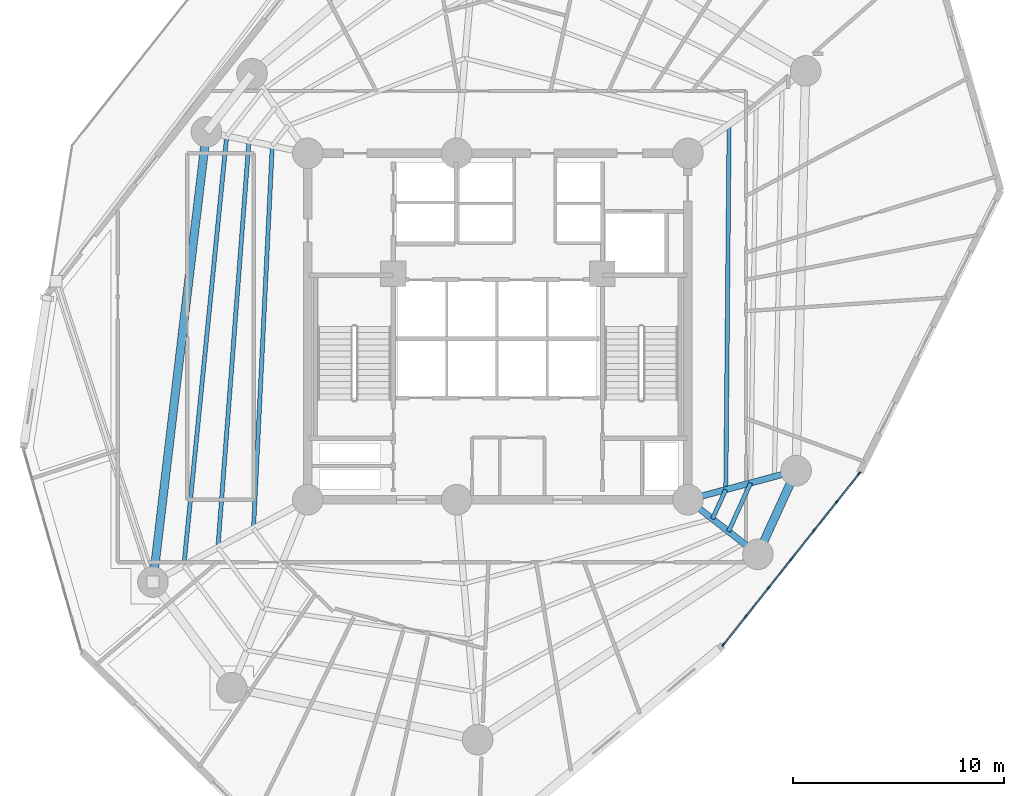
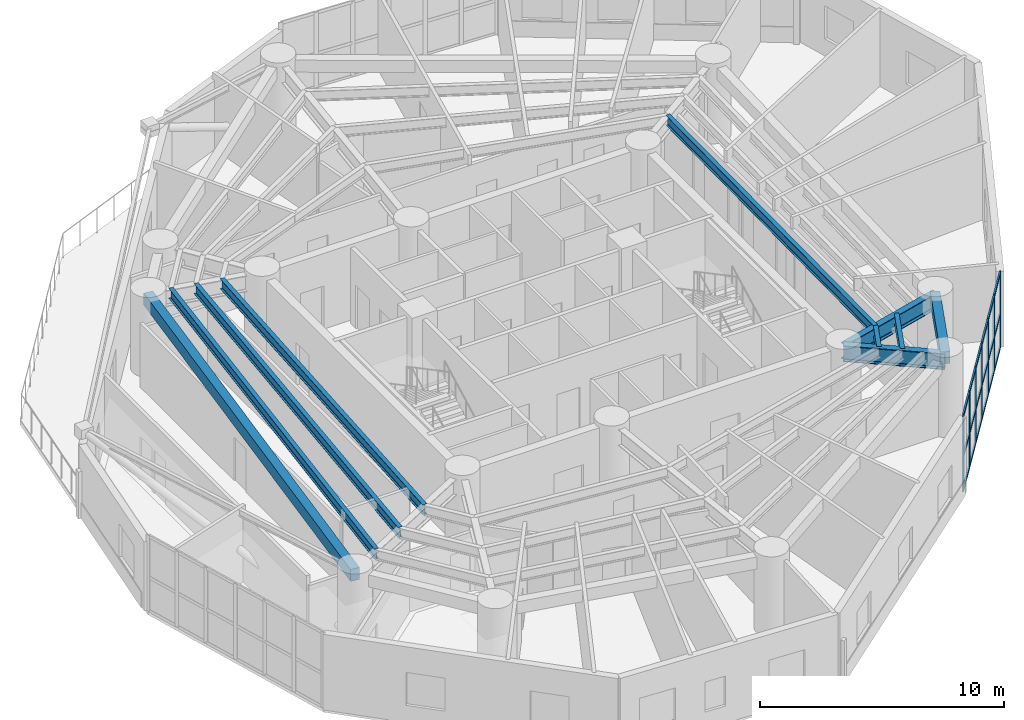
# One storey, part 3 of 14: 25 members, 10 beams, 1 element without a shape of its own.
"""IFC4 building model written with IfcOpenShell, lengths in metres."""

from ifc_helpers import new_model, si_unit, direction, frame, origin, origin_with_axes, origin_2d, place, context, subcontext, project, spatial, rectangle, i_section, extrude, source, transform, mapped, material, layer, layer_set, material_profile, profile_set, type_object, element, aggregate, save


model = new_model("IFC4")

# Units and contexts
model_context = context("Model", 3, precision=1e-05, world=origin(), true_north=direction((0.0, 1.0)))
body_context = subcontext(model_context, "Body", "Model", "MODEL_VIEW")
ifc_project = project(units=[si_unit("LENGTHUNIT", "METRE"), si_unit("AREAUNIT", "SQUARE_METRE"), si_unit("VOLUMEUNIT", "CUBIC_METRE"), si_unit("PLANEANGLEUNIT", "RADIAN"), si_unit("MASSUNIT", "GRAM", prefix="KILO")], contexts=[model_context])

# Site, building, storey
site_placement = place(None, origin())
site = spatial("IfcSite", under=ifc_project, at=site_placement, CompositionType="ELEMENT")
building_placement = place(site_placement, origin())
building = spatial("IfcBuilding", under=site, at=building_placement, Name="Karkom Vertical University and Central Library", CompositionType="ELEMENT")
storey_placement = place(building_placement, frame((0.0, 0.0, 92.199951171875)))
storey = spatial("IfcBuildingStorey", under=building, at=storey_placement, Name="L24", CompositionType="ELEMENT", Elevation=92.199951171875)

# Beams
ifc_material_1 = material(Name="Steel S355", Category="steel")
ifc_material_profile_1 = material_profile(ifc_material_1, i_section(OverallWidth=0.300048828125, OverallDepth=0.800048828125, WebThickness=0.017578125, FlangeThickness=0.032958984375, FilletRadius=0.030029296875, at=origin_2d()), Name="HE 800 B")
ifc_profile_set_1 = profile_set([ifc_material_profile_1], Name="Steel S355")
beam_type_1 = type_object("IfcBeamType", Name="STR-BM-SB-HE800", PredefinedType="USERDEFINED", material=ifc_profile_set_1)
shared_shape_1 = source(origin_with_axes(), body_context, "Body", "SweptSolid", [
    extrude(i_section(OverallWidth=0.300048828125, OverallDepth=0.800048828125, WebThickness=0.017578125, FlangeThickness=0.032958984375, FilletRadius=0.030029296875, at=origin_2d()), origin(), (0.0, 0.0, 1.0), 5.299560546875),
])
beam_1_placement = place(storey_placement, frame((37.5, 18.300048828125, 3.375), z_axis=(0.965903833688, 0.258901108663, 0.0), x_axis=(-0.258901108663, 0.965903833688, 0.0)))
element("IfcBeam", 1, at=beam_1_placement, inside=storey, type_object=beam_type_1, Name="Level 24 Radial Frame Girder 01", ObjectType="GIRDER", PredefinedType="USERDEFINED", context=body_context, shape_type="MappedRepresentation", body=[
    mapped(shared_shape_1, transform((0.0, 0.0, 0.0), scale=1.0)),
])
shared_shape_2 = source(origin_with_axes(), body_context, "Body", "SweptSolid", [
    extrude(i_section(OverallWidth=0.300048828125, OverallDepth=0.800048828125, WebThickness=0.017578125, FlangeThickness=0.032958984375, FilletRadius=0.030029296875, at=origin_2d()), origin(), (0.0, 0.0, 1.0), 4.200439453125),
])
beam_2_placement = place(storey_placement, frame((37.5, 18.300048828125, 3.375), z_axis=(0.788029660796, -0.615637274461, 0.0), x_axis=(0.615637274461, 0.788029660796, 0.0)))
element("IfcBeam", 2, at=beam_2_placement, inside=storey, type_object=beam_type_1, Name="Level 24 Radial Frame Girder 09", ObjectType="GIRDER", PredefinedType="USERDEFINED", context=body_context, shape_type="MappedRepresentation", body=[
    mapped(shared_shape_2, transform((0.0, 0.0, 0.0), scale=1.0)),
])
ifc_material_2 = material(Name="Precast concrete C45/55", Category="concrete")
ifc_material_profile_2 = material_profile(ifc_material_2, rectangle(XDim=0.39990234375, YDim=0.60009765625, at=origin_2d()), Name="SPB-400x600")
ifc_profile_set_2 = profile_set([ifc_material_profile_2], Name="Precast concrete C45/55")
beam_type_2 = type_object("IfcBeamType", Name="STR-BM-SP-1", PredefinedType="SPANDREL", material=ifc_profile_set_2)
shared_shape_3 = source(origin_with_axes(), body_context, "Body", "SweptSolid", [
    extrude(rectangle(XDim=0.39990234375, YDim=0.60009765625, at=origin_2d()), origin(), (0.0, 0.0, 1.0), 21.466064453125),
])
beam_3_placement = place(storey_placement, frame((14.70703125, 35.718994140625, 3.47509765625), z_axis=(-0.118088996795, -0.993003015522, 0.0), x_axis=(0.993003015522, -0.118088996795, 0.0)))
element("IfcBeam", 3, at=beam_3_placement, inside=storey, type_object=beam_type_2, Name="Level 24 Perimeter Spandrel Beam 05", PredefinedType="SPANDREL", context=body_context, shape_type="MappedRepresentation", body=[
    mapped(shared_shape_3, transform((0.0, 0.0, 0.0), scale=1.0)),
])
shared_shape_4 = source(origin_with_axes(), body_context, "Body", "SweptSolid", [
    extrude(rectangle(XDim=0.39990234375, YDim=0.60009765625, at=origin_2d()), origin(), (0.0, 0.0, 1.0), 4.351806640625),
])
beam_4_placement = place(storey_placement, frame((40.81005859375, 15.714111328125, 3.47509765625), z_axis=(0.415657668422, 0.909521139217, 0.0), x_axis=(-0.909521139217, 0.415657668422, 0.0)))
element("IfcBeam", 4, at=beam_4_placement, inside=storey, type_object=beam_type_2, Name="Level 24 Perimeter Spandrel Beam 09", PredefinedType="SPANDREL", context=body_context, shape_type="MappedRepresentation", body=[
    mapped(shared_shape_4, transform((0.0, 0.0, 0.0), scale=1.0)),
])
ifc_material_profile_3 = material_profile(ifc_material_1, i_section(OverallWidth=0.199951171875, OverallDepth=0.5, WebThickness=0.01025390625, FlangeThickness=0.01611328125, FilletRadius=0.02099609375, at=origin_2d()), Name="IPE 500")
ifc_profile_set_3 = profile_set([ifc_material_profile_3], Name="Steel S355")
beam_type_3 = type_object("IfcBeamType", Name="STR-BM-SB-IPE500", PredefinedType="BEAM", material=ifc_profile_set_3)
shared_shape_5 = source(origin_with_axes(), body_context, "Body", "SweptSolid", [
    extrude(i_section(OverallWidth=0.199951171875, OverallDepth=0.5, WebThickness=0.01025390625, FlangeThickness=0.01611328125, FilletRadius=0.02099609375, at=origin_2d()), origin(), (0.0, 0.0, 1.0), 17.285400390625),
])
beam_5_placement = place(storey_placement, frame((39.29150390625, 18.7802734375, 3.525146484375), z_axis=(0.009138294648, 0.999958244914, 0.0), x_axis=(-0.999958244914, 0.009138294648, 0.0)))
element("IfcBeam", 5, at=beam_5_placement, inside=storey, type_object=beam_type_3, Name="Level 24 Secondary Composite Floor Beam 1.01", PredefinedType="BEAM", context=body_context, shape_type="MappedRepresentation", body=[
    mapped(shared_shape_5, transform((0.0, 0.0, 0.0), scale=1.0)),
])
shared_shape_6 = source(origin_with_axes(), body_context, "Body", "SweptSolid", [
    extrude(i_section(OverallWidth=0.199951171875, OverallDepth=0.5, WebThickness=0.01025390625, FlangeThickness=0.01611328125, FilletRadius=0.02099609375, at=origin_2d()), origin(), (0.0, 0.0, 1.0), 18.142333984375),
])
beam_6_placement = place(storey_placement, frame((17.822509765625, 35.056640625, 3.525146484375), z_axis=(-0.048902644774, -0.998803549921, 0.0), x_axis=(0.998803549921, -0.048902644774, 0.0)))
element("IfcBeam", 6, at=beam_6_placement, inside=storey, type_object=beam_type_3, Name="Level 24 Secondary Composite Floor Beam 1.05", PredefinedType="BEAM", context=body_context, shape_type="MappedRepresentation", body=[
    mapped(shared_shape_6, transform((0.0, 0.0, 0.0), scale=1.0)),
])
shared_shape_7 = source(origin_with_axes(), body_context, "Body", "SweptSolid", [
    extrude(i_section(OverallWidth=0.199951171875, OverallDepth=0.5, WebThickness=0.01025390625, FlangeThickness=0.01611328125, FilletRadius=0.02099609375, at=origin_2d()), origin(), (0.0, 0.0, 1.0), 1.52294921875),
])
beam_7_placement = place(storey_placement, frame((38.658447265625, 17.39501953125, 3.525146484375), z_axis=(0.415649898107, 0.909524690266, 0.0), x_axis=(-0.909524690266, 0.415649898107, 0.0)))
element("IfcBeam", 7, at=beam_7_placement, inside=storey, type_object=beam_type_3, Name="Level 24 Secondary Composite Floor Beam 1.09", PredefinedType="BEAM", context=body_context, shape_type="MappedRepresentation", body=[
    mapped(shared_shape_7, transform((0.0, 0.0, 0.0), scale=1.0)),
])
shared_shape_8 = source(origin_with_axes(), body_context, "Body", "SweptSolid", [
    extrude(i_section(OverallWidth=0.199951171875, OverallDepth=0.5, WebThickness=0.01025390625, FlangeThickness=0.01611328125, FilletRadius=0.02099609375, at=origin_2d()), origin(), (0.0, 0.0, 1.0), 19.307373046875),
])
beam_8_placement = place(storey_placement, frame((16.72021484375, 35.291015625, 3.525146484375), z_axis=(-0.07616078645, -0.997095549387, 0.0), x_axis=(0.997095549387, -0.07616078645, 0.0)))
element("IfcBeam", 8, at=beam_8_placement, inside=storey, type_object=beam_type_3, Name="Level 24 Secondary Composite Floor Beam 2.05", PredefinedType="BEAM", context=body_context, shape_type="MappedRepresentation", body=[
    mapped(shared_shape_8, transform((0.0, 0.0, 0.0), scale=1.0)),
])
shared_shape_9 = source(origin_with_axes(), body_context, "Body", "SweptSolid", [
    extrude(i_section(OverallWidth=0.199951171875, OverallDepth=0.5, WebThickness=0.01025390625, FlangeThickness=0.01611328125, FilletRadius=0.02099609375, at=origin_2d()), origin(), (0.0, 0.0, 1.0), 2.52392578125),
])
beam_9_placement = place(storey_placement, frame((39.419921875, 16.800048828125, 3.525146484375), z_axis=(0.415638602127, 0.909529852408, 0.0), x_axis=(-0.909529852408, 0.415638602127, 0.0)))
element("IfcBeam", 9, at=beam_9_placement, inside=storey, type_object=beam_type_3, Name="Level 24 Secondary Composite Floor Beam 2.09", PredefinedType="BEAM", context=body_context, shape_type="MappedRepresentation", body=[
    mapped(shared_shape_9, transform((0.0, 0.0, 0.0), scale=1.0)),
])
shared_shape_10 = source(origin_with_axes(), body_context, "Body", "SweptSolid", [
    extrude(i_section(OverallWidth=0.199951171875, OverallDepth=0.5, WebThickness=0.01025390625, FlangeThickness=0.01611328125, FilletRadius=0.02099609375, at=origin_2d()), origin(), (0.0, 0.0, 1.0), 20.43359375),
])
beam_10_placement = place(storey_placement, frame((15.66552734375, 35.51513671875, 3.525146484375), z_axis=(-0.099239913611, -0.995063535432, 0.0), x_axis=(0.995063535432, -0.099239913611, 0.0)))
element("IfcBeam", 10, at=beam_10_placement, inside=storey, type_object=beam_type_3, Name="Level 24 Secondary Composite Floor Beam 3.05", PredefinedType="BEAM", context=body_context, shape_type="MappedRepresentation", body=[
    mapped(shared_shape_10, transform((0.0, 0.0, 0.0), scale=1.0)),
])

# Curtain wall, members
ifc_material_3 = material(Name="Aluminium curtain-wall framing and low-E IGU", Category="aluminium")
ifc_layer = layer(ifc_material_3, 0.199951171875)
ifc_layer_set = layer_set([ifc_layer], Name="Aluminium curtain-wall framing and low-E IGU")
curtain_wall_type = type_object("IfcCurtainWallType", Name="ENV-CW-5", PredefinedType="USERDEFINED", material=ifc_layer_set)
curtain_wall_placement = place(storey_placement, origin())
curtain_wall = element("IfcCurtainWall", 11, at=curtain_wall_placement, inside=storey, type_object=curtain_wall_type, Name="Level 24 CW-5 Curtain Wall L24-CW5-06", ObjectType="UNITISED GLAZING", PredefinedType="USERDEFINED")
ifc_material_4 = material(Name="Anodised Aluminium 6063-T6", Category="aluminium")
ifc_material_profile_4 = material_profile(ifc_material_4, rectangle(XDim=0.070068359375, YDim=0.199951171875, at=origin_2d()), Name="ALU-M70x200")
ifc_profile_set_4 = profile_set([ifc_material_profile_4], Name="Anodised Aluminium 6063-T6")
member_type_1 = type_object("IfcMemberType", Name="ENV-MEM-ALU-M70x200", PredefinedType="MULLION", material=ifc_profile_set_4)
shared_shape_11 = source(origin_with_axes(), body_context, "Body", "SweptSolid", [
    extrude(rectangle(XDim=0.070068359375, YDim=0.199951171875, at=origin_2d()), origin(), (0.0, 0.0, 1.0), 3.775146484375),
])
member_1_placement = place(storey_placement, frame((39.1875, 11.438720703125, 0.0), z_axis=(0.0, 0.0, 1.0), x_axis=(-0.783695712481, 0.62114493497, 0.0)))
member_1 = element("IfcMember", 12, at=member_1_placement, type_object=member_type_1, Name="CW-5 mullion 1", PredefinedType="MULLION", context=body_context, shape_type="MappedRepresentation", body=[
    mapped(shared_shape_11, transform((0.0, 0.0, 0.0), scale=1.0)),
])
member_2_placement = place(storey_placement, frame((40.242431640625, 12.769775390625, 0.0), z_axis=(0.0, 0.0, 1.0), x_axis=(-0.783695712481, 0.62114493497, 0.0)))
member_2 = element("IfcMember", 13, at=member_2_placement, type_object=member_type_1, Name="CW-5 mullion 2", PredefinedType="MULLION", context=body_context, shape_type="MappedRepresentation", body=[
    mapped(shared_shape_11, transform((0.0, 0.0, 0.0), scale=1.0)),
])
member_3_placement = place(storey_placement, frame((41.319091796875, 14.128173828125, 0.0), z_axis=(0.0, 0.0, 1.0), x_axis=(-0.783695712481, 0.62114493497, 0.0)))
member_3 = element("IfcMember", 14, at=member_3_placement, type_object=member_type_1, Name="CW-5 mullion 3", PredefinedType="MULLION", context=body_context, shape_type="MappedRepresentation", body=[
    mapped(shared_shape_11, transform((0.0, 0.0, 0.0), scale=1.0)),
])
member_4_placement = place(storey_placement, frame((42.395751953125, 15.486328125, 0.0), z_axis=(0.0, 0.0, 1.0), x_axis=(-0.783695712481, 0.62114493497, 0.0)))
member_4 = element("IfcMember", 15, at=member_4_placement, type_object=member_type_1, Name="CW-5 mullion 4", PredefinedType="MULLION", context=body_context, shape_type="MappedRepresentation", body=[
    mapped(shared_shape_11, transform((0.0, 0.0, 0.0), scale=1.0)),
])
member_5_placement = place(storey_placement, frame((43.472412109375, 16.8447265625, 0.0), z_axis=(0.0, 0.0, 1.0), x_axis=(-0.783695712481, 0.62114493497, 0.0)))
member_5 = element("IfcMember", 16, at=member_5_placement, type_object=member_type_1, Name="CW-5 mullion 5", PredefinedType="MULLION", context=body_context, shape_type="MappedRepresentation", body=[
    mapped(shared_shape_11, transform((0.0, 0.0, 0.0), scale=1.0)),
])
member_6_placement = place(storey_placement, frame((44.549072265625, 18.203125, 0.0), z_axis=(0.0, 0.0, 1.0), x_axis=(-0.783695712481, 0.62114493497, 0.0)))
member_6 = element("IfcMember", 17, at=member_6_placement, type_object=member_type_1, Name="CW-5 mullion 6", PredefinedType="MULLION", context=body_context, shape_type="MappedRepresentation", body=[
    mapped(shared_shape_11, transform((0.0, 0.0, 0.0), scale=1.0)),
])
member_7_placement = place(storey_placement, frame((45.603759765625, 19.5341796875, 0.0), z_axis=(0.0, 0.0, 1.0), x_axis=(-0.783695712481, 0.62114493497, 0.0)))
member_7 = element("IfcMember", 18, at=member_7_placement, type_object=member_type_1, Name="CW-5 mullion 7", PredefinedType="MULLION", context=body_context, shape_type="MappedRepresentation", body=[
    mapped(shared_shape_11, transform((0.0, 0.0, 0.0), scale=1.0)),
])
ifc_material_profile_5 = material_profile(ifc_material_4, rectangle(XDim=0.070068359375, YDim=0.14990234375, at=origin_2d()), Name="ALU-T70x150")
ifc_profile_set_5 = profile_set([ifc_material_profile_5], Name="Anodised Aluminium 6063-T6")
member_type_2 = type_object("IfcMemberType", Name="ENV-MEM-ALU-T70x150", PredefinedType="USERDEFINED", material=ifc_profile_set_5)
shared_shape_12 = source(origin_with_axes(), body_context, "Body", "SweptSolid", [
    extrude(rectangle(XDim=0.070068359375, YDim=0.14990234375, at=origin_2d()), origin(), (0.0, 0.0, 1.0), 1.62841796875),
])
member_8_placement = place(storey_placement, frame((39.209228515625, 11.466064453125, 0.03515625), z_axis=(0.621159829293, 0.783683907244, 0.0), x_axis=(-0.783683907244, 0.621159829293, 0.0)))
member_8 = element("IfcMember", 19, at=member_8_placement, type_object=member_type_2, Name="CW-5 transom 1.1", ObjectType="TRANSOM", PredefinedType="USERDEFINED", context=body_context, shape_type="MappedRepresentation", body=[
    mapped(shared_shape_12, transform((0.0, 0.0, 0.0), scale=1.0)),
])
member_9_placement = place(storey_placement, frame((39.209228515625, 11.466064453125, 1.69873046875), z_axis=(0.621159829293, 0.783683907244, 0.0), x_axis=(-0.783683907244, 0.621159829293, 0.0)))
member_9 = element("IfcMember", 20, at=member_9_placement, type_object=member_type_2, Name="CW-5 transom 1.2", ObjectType="TRANSOM", PredefinedType="USERDEFINED", context=body_context, shape_type="MappedRepresentation", body=[
    mapped(shared_shape_12, transform((0.0, 0.0, 0.0), scale=1.0)),
])
member_10_placement = place(storey_placement, frame((39.209228515625, 11.466064453125, 3.739990234375), z_axis=(0.621159829293, 0.783683907244, 0.0), x_axis=(-0.783683907244, 0.621159829293, 0.0)))
member_10 = element("IfcMember", 21, at=member_10_placement, type_object=member_type_2, Name="CW-5 transom 1.3", ObjectType="TRANSOM", PredefinedType="USERDEFINED", context=body_context, shape_type="MappedRepresentation", body=[
    mapped(shared_shape_12, transform((0.0, 0.0, 0.0), scale=1.0)),
])
shared_shape_13 = source(origin_with_axes(), body_context, "Body", "SweptSolid", [
    extrude(rectangle(XDim=0.070068359375, YDim=0.14990234375, at=origin_2d()), origin(), (0.0, 0.0, 1.0), 1.663330078125),
])
member_11_placement = place(storey_placement, frame((40.26416015625, 12.797119140625, 0.03515625), z_axis=(0.621180300695, 0.783667680863, 0.0), x_axis=(-0.783667680863, 0.621180300695, 0.0)))
member_11 = element("IfcMember", 22, at=member_11_placement, type_object=member_type_2, Name="CW-5 transom 2.1", ObjectType="TRANSOM", PredefinedType="USERDEFINED", context=body_context, shape_type="MappedRepresentation", body=[
    mapped(shared_shape_13, transform((0.0, 0.0, 0.0), scale=1.0)),
])
member_12_placement = place(storey_placement, frame((40.26416015625, 12.797119140625, 1.69873046875), z_axis=(0.621180300695, 0.783667680863, 0.0), x_axis=(-0.783667680863, 0.621180300695, 0.0)))
member_12 = element("IfcMember", 23, at=member_12_placement, type_object=member_type_2, Name="CW-5 transom 2.2", ObjectType="TRANSOM", PredefinedType="USERDEFINED", context=body_context, shape_type="MappedRepresentation", body=[
    mapped(shared_shape_13, transform((0.0, 0.0, 0.0), scale=1.0)),
])
member_13_placement = place(storey_placement, frame((40.26416015625, 12.797119140625, 3.739990234375), z_axis=(0.621180300695, 0.783667680863, 0.0), x_axis=(-0.783667680863, 0.621180300695, 0.0)))
member_13 = element("IfcMember", 24, at=member_13_placement, type_object=member_type_2, Name="CW-5 transom 2.3", ObjectType="TRANSOM", PredefinedType="USERDEFINED", context=body_context, shape_type="MappedRepresentation", body=[
    mapped(shared_shape_13, transform((0.0, 0.0, 0.0), scale=1.0)),
])
member_14_placement = place(storey_placement, frame((41.3408203125, 14.155517578125, 0.03515625), z_axis=(0.621180300695, 0.783667680863, 0.0), x_axis=(-0.783667680863, 0.621180300695, 0.0)))
member_14 = element("IfcMember", 25, at=member_14_placement, type_object=member_type_2, Name="CW-5 transom 3.1", ObjectType="TRANSOM", PredefinedType="USERDEFINED", context=body_context, shape_type="MappedRepresentation", body=[
    mapped(shared_shape_13, transform((0.0, 0.0, 0.0), scale=1.0)),
])
member_15_placement = place(storey_placement, frame((41.3408203125, 14.155517578125, 1.69873046875), z_axis=(0.621180300695, 0.783667680863, 0.0), x_axis=(-0.783667680863, 0.621180300695, 0.0)))
member_15 = element("IfcMember", 26, at=member_15_placement, type_object=member_type_2, Name="CW-5 transom 3.2", ObjectType="TRANSOM", PredefinedType="USERDEFINED", context=body_context, shape_type="MappedRepresentation", body=[
    mapped(shared_shape_13, transform((0.0, 0.0, 0.0), scale=1.0)),
])
member_16_placement = place(storey_placement, frame((41.3408203125, 14.155517578125, 3.739990234375), z_axis=(0.621180300695, 0.783667680863, 0.0), x_axis=(-0.783667680863, 0.621180300695, 0.0)))
member_16 = element("IfcMember", 27, at=member_16_placement, type_object=member_type_2, Name="CW-5 transom 3.3", ObjectType="TRANSOM", PredefinedType="USERDEFINED", context=body_context, shape_type="MappedRepresentation", body=[
    mapped(shared_shape_13, transform((0.0, 0.0, 0.0), scale=1.0)),
])
member_17_placement = place(storey_placement, frame((42.41748046875, 15.513916015625, 0.03515625), z_axis=(0.621180300695, 0.783667680863, 0.0), x_axis=(-0.783667680863, 0.621180300695, 0.0)))
member_17 = element("IfcMember", 28, at=member_17_placement, type_object=member_type_2, Name="CW-5 transom 4.1", ObjectType="TRANSOM", PredefinedType="USERDEFINED", context=body_context, shape_type="MappedRepresentation", body=[
    mapped(shared_shape_13, transform((0.0, 0.0, 0.0), scale=1.0)),
])
member_18_placement = place(storey_placement, frame((42.41748046875, 15.513916015625, 1.69873046875), z_axis=(0.621180300695, 0.783667680863, 0.0), x_axis=(-0.783667680863, 0.621180300695, 0.0)))
member_18 = element("IfcMember", 29, at=member_18_placement, type_object=member_type_2, Name="CW-5 transom 4.2", ObjectType="TRANSOM", PredefinedType="USERDEFINED", context=body_context, shape_type="MappedRepresentation", body=[
    mapped(shared_shape_13, transform((0.0, 0.0, 0.0), scale=1.0)),
])
member_19_placement = place(storey_placement, frame((42.41748046875, 15.513916015625, 3.739990234375), z_axis=(0.621180300695, 0.783667680863, 0.0), x_axis=(-0.783667680863, 0.621180300695, 0.0)))
member_19 = element("IfcMember", 30, at=member_19_placement, type_object=member_type_2, Name="CW-5 transom 4.3", ObjectType="TRANSOM", PredefinedType="USERDEFINED", context=body_context, shape_type="MappedRepresentation", body=[
    mapped(shared_shape_13, transform((0.0, 0.0, 0.0), scale=1.0)),
])
member_20_placement = place(storey_placement, frame((43.494140625, 16.872314453125, 0.03515625), z_axis=(0.621180300695, 0.783667680863, 0.0), x_axis=(-0.783667680863, 0.621180300695, 0.0)))
member_20 = element("IfcMember", 31, at=member_20_placement, type_object=member_type_2, Name="CW-5 transom 5.1", ObjectType="TRANSOM", PredefinedType="USERDEFINED", context=body_context, shape_type="MappedRepresentation", body=[
    mapped(shared_shape_13, transform((0.0, 0.0, 0.0), scale=1.0)),
])
member_21_placement = place(storey_placement, frame((43.494140625, 16.872314453125, 1.69873046875), z_axis=(0.621180300695, 0.783667680863, 0.0), x_axis=(-0.783667680863, 0.621180300695, 0.0)))
member_21 = element("IfcMember", 32, at=member_21_placement, type_object=member_type_2, Name="CW-5 transom 5.2", ObjectType="TRANSOM", PredefinedType="USERDEFINED", context=body_context, shape_type="MappedRepresentation", body=[
    mapped(shared_shape_13, transform((0.0, 0.0, 0.0), scale=1.0)),
])
member_22_placement = place(storey_placement, frame((43.494140625, 16.872314453125, 3.739990234375), z_axis=(0.621180300695, 0.783667680863, 0.0), x_axis=(-0.783667680863, 0.621180300695, 0.0)))
member_22 = element("IfcMember", 33, at=member_22_placement, type_object=member_type_2, Name="CW-5 transom 5.3", ObjectType="TRANSOM", PredefinedType="USERDEFINED", context=body_context, shape_type="MappedRepresentation", body=[
    mapped(shared_shape_13, transform((0.0, 0.0, 0.0), scale=1.0)),
])
shared_shape_14 = source(origin_with_axes(), body_context, "Body", "SweptSolid", [
    extrude(rectangle(XDim=0.070068359375, YDim=0.14990234375, at=origin_2d()), origin(), (0.0, 0.0, 1.0), 1.628173828125),
])
member_23_placement = place(storey_placement, frame((44.57080078125, 18.230712890625, 0.03515625), z_axis=(0.621067735373, 0.783756893481, 0.0), x_axis=(-0.783756893481, 0.621067735373, 0.0)))
member_23 = element("IfcMember", 34, at=member_23_placement, type_object=member_type_2, Name="CW-5 transom 6.1", ObjectType="TRANSOM", PredefinedType="USERDEFINED", context=body_context, shape_type="MappedRepresentation", body=[
    mapped(shared_shape_14, transform((0.0, 0.0, 0.0), scale=1.0)),
])
member_24_placement = place(storey_placement, frame((44.57080078125, 18.230712890625, 1.69873046875), z_axis=(0.621067735373, 0.783756893481, 0.0), x_axis=(-0.783756893481, 0.621067735373, 0.0)))
member_24 = element("IfcMember", 35, at=member_24_placement, type_object=member_type_2, Name="CW-5 transom 6.2", ObjectType="TRANSOM", PredefinedType="USERDEFINED", context=body_context, shape_type="MappedRepresentation", body=[
    mapped(shared_shape_14, transform((0.0, 0.0, 0.0), scale=1.0)),
])
member_25_placement = place(storey_placement, frame((44.57080078125, 18.230712890625, 3.739990234375), z_axis=(0.621067735373, 0.783756893481, 0.0), x_axis=(-0.783756893481, 0.621067735373, 0.0)))
member_25 = element("IfcMember", 36, at=member_25_placement, type_object=member_type_2, Name="CW-5 transom 6.3", ObjectType="TRANSOM", PredefinedType="USERDEFINED", context=body_context, shape_type="MappedRepresentation", body=[
    mapped(shared_shape_14, transform((0.0, 0.0, 0.0), scale=1.0)),
])
aggregate(curtain_wall, [member_1, member_2, member_3, member_4, member_5, member_6, member_7, member_8, member_9, member_10, member_11, member_12, member_13, member_14, member_15, member_16, member_17, member_18, member_19, member_20, member_21, member_22, member_23, member_24, member_25])

save(model, "model.ifc")
